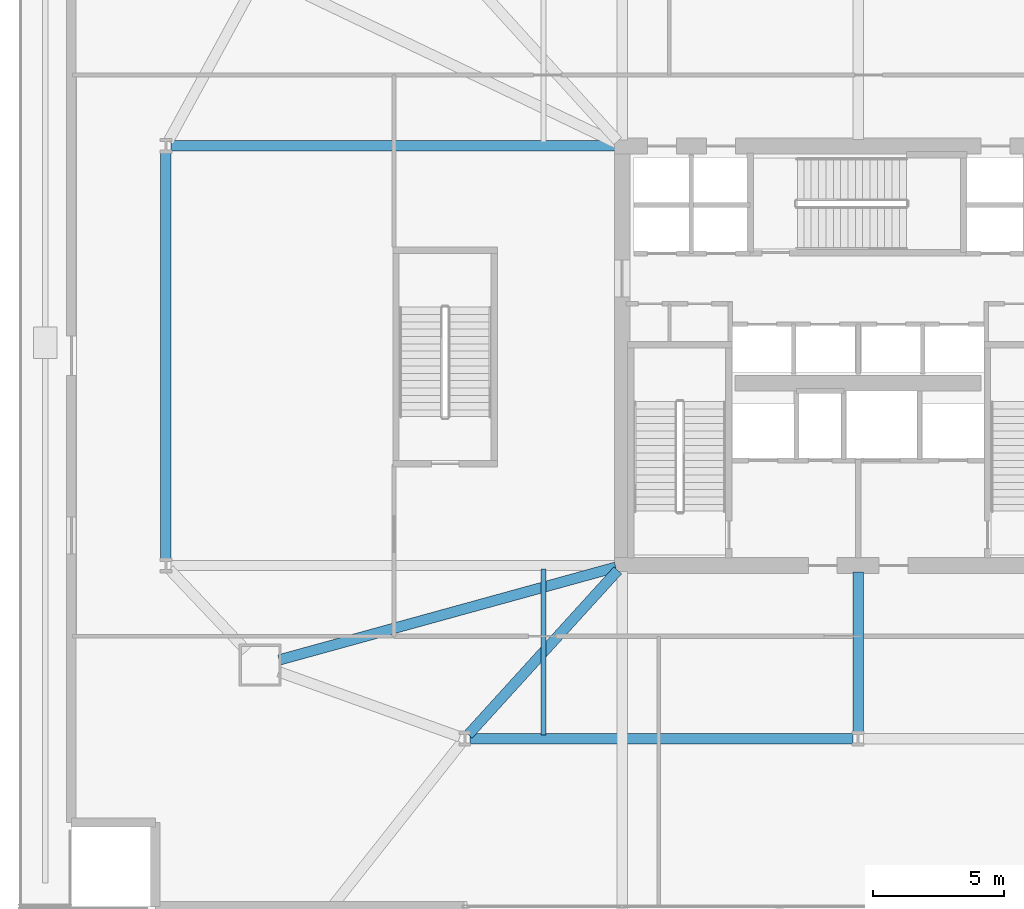
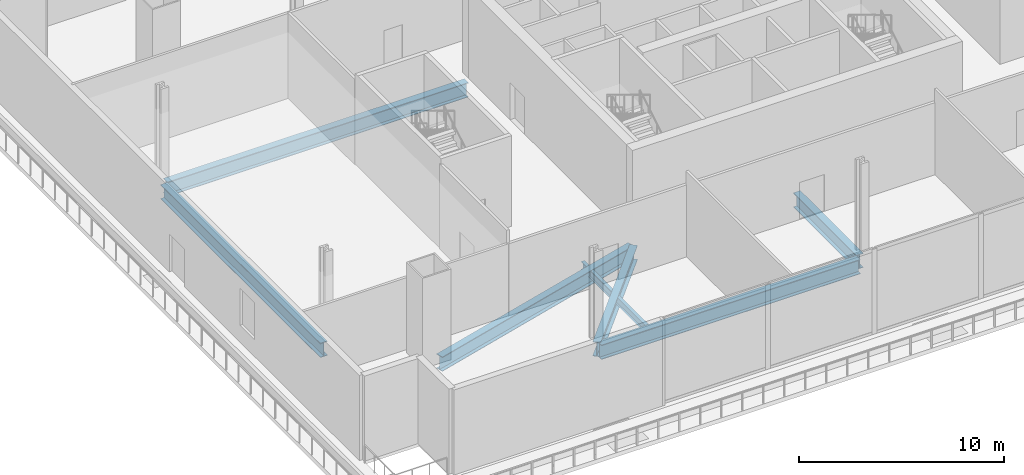
# One storey, part 3 of 20: 7 beams.
"""IFC4 building model written with IfcOpenShell, lengths in metres."""

from ifc_helpers import new_model, si_unit, direction, frame, origin, origin_2d, place, context, subcontext, project, spatial, i_section, extrude, material, material_profile, profile_set, type_object, element, save


model = new_model("IFC4")

# Units and contexts
model_context = context("Model", 3, precision=1e-05, world=origin(), true_north=direction((0.0, 1.0)))
body_context = subcontext(model_context, "Body", "Model", "MODEL_VIEW")
ifc_project = project(units=[si_unit("LENGTHUNIT", "METRE"), si_unit("AREAUNIT", "SQUARE_METRE"), si_unit("VOLUMEUNIT", "CUBIC_METRE"), si_unit("PLANEANGLEUNIT", "RADIAN"), si_unit("MASSUNIT", "GRAM", prefix="KILO")], contexts=[model_context])

# Site, building, storey
site_placement = place(None, origin())
site = spatial("IfcSite", under=ifc_project, at=site_placement, CompositionType="ELEMENT")
building_placement = place(site_placement, origin())
building = spatial("IfcBuilding", under=site, at=building_placement, Name="Haldenkirk Collegiate Tower", CompositionType="ELEMENT")
storey_placement = place(building_placement, frame((0.0, 0.0, 6.0)))
storey = spatial("IfcBuildingStorey", under=building, at=storey_placement, Name="L01", CompositionType="ELEMENT", Elevation=6.0)

# Beams
ifc_material = material(Name="Steel ASTM A992 Grade 50", Category="steel")
ifc_material_profile_1 = material_profile(ifc_material, i_section(OverallWidth=0.39990234375, OverallDepth=0.862060546875, WebThickness=0.019775390625, FlangeThickness=0.032470703125, at=origin_2d()), Name="W33X221")
ifc_profile_set_1 = profile_set([ifc_material_profile_1], Name="Steel ASTM A992 Grade 50")
beam_type_1 = type_object("IfcBeamType", Name="BM-GIRDER-W33X221", PredefinedType="BEAM", material=ifc_profile_set_1)
beam_1_placement = place(storey_placement, frame((21.199951171875, 11.39990234375, -0.760986328125), z_axis=(1.0, 0.0, 0.0), x_axis=(0.0, 1.0, 0.0)))
element("IfcBeam", 1, at=beam_1_placement, inside=storey, type_object=beam_type_1, Name="L01 podium ring girder 02", PredefinedType="BEAM", context=body_context, shape_type="SweptSolid", body=[
    extrude(i_section(OverallWidth=0.39990234375, OverallDepth=0.862060546875, WebThickness=0.019775390625, FlangeThickness=0.032470703125, at=origin_2d()), origin(), (0.0, 0.0, 1.0), 14.60009765625),
])
beam_2_placement = place(storey_placement, frame((9.60009765625, 33.800048828125, -0.760986328125), z_axis=(0.0, -1.0, 0.0), x_axis=(1.0, 0.0, 0.0)))
element("IfcBeam", 2, at=beam_2_placement, inside=storey, type_object=beam_type_1, Name="L01 podium ring girder 13", PredefinedType="BEAM", context=body_context, shape_type="SweptSolid", body=[
    extrude(i_section(OverallWidth=0.39990234375, OverallDepth=0.862060546875, WebThickness=0.019775390625, FlangeThickness=0.032470703125, at=origin_2d()), origin(), (0.0, 0.0, 1.0), 15.60009765625),
])
beam_3_placement = place(storey_placement, frame((9.800048828125, 34.0, -0.760986328125), z_axis=(1.0, 0.0, 0.0), x_axis=(0.0, 1.0, 0.0)))
element("IfcBeam", 3, at=beam_3_placement, inside=storey, type_object=beam_type_1, Name="L01 podium radial girder 02", PredefinedType="BEAM", context=body_context, shape_type="SweptSolid", body=[
    extrude(i_section(OverallWidth=0.39990234375, OverallDepth=0.862060546875, WebThickness=0.019775390625, FlangeThickness=0.032470703125, at=origin_2d()), origin(), (0.0, 0.0, 1.0), 16.949951171875),
])
beam_4_placement = place(storey_placement, frame((36.0, 11.60009765625, -0.760986328125), z_axis=(0.0, 1.0, 0.0), x_axis=(-1.0, 0.0, 0.0)))
element("IfcBeam", 4, at=beam_4_placement, inside=storey, type_object=beam_type_1, Name="L01 podium radial girder 05", PredefinedType="BEAM", context=body_context, shape_type="SweptSolid", body=[
    extrude(i_section(OverallWidth=0.39990234375, OverallDepth=0.862060546875, WebThickness=0.019775390625, FlangeThickness=0.032470703125, at=origin_2d()), origin(), (0.0, 0.0, 1.0), 6.14990234375),
])
beam_5_placement = place(storey_placement, frame((21.134521484375, 11.548095703125, -0.760986328125), z_axis=(0.672681402593, 0.739932247307, 0.0), x_axis=(-0.739932247307, 0.672681402593, 0.0)))
element("IfcBeam", 5, at=beam_5_placement, inside=storey, type_object=beam_type_1, Name="L01 podium radial girder 07", PredefinedType="BEAM", context=body_context, shape_type="SweptSolid", body=[
    extrude(i_section(OverallWidth=0.39990234375, OverallDepth=0.862060546875, WebThickness=0.019775390625, FlangeThickness=0.032470703125, at=origin_2d()), origin(), (0.0, 0.0, 1.0), 8.469482421875),
])
beam_6_placement = place(storey_placement, frame((13.923095703125, 14.399169921875, -0.760986328125), z_axis=(0.964118138457, 0.265473567606, 0.0), x_axis=(-0.265473567606, 0.964118138457, 0.0)))
element("IfcBeam", 6, at=beam_6_placement, inside=storey, type_object=beam_type_1, Name="L01 podium radial girder 11", PredefinedType="BEAM", context=body_context, shape_type="SweptSolid", body=[
    extrude(i_section(OverallWidth=0.39990234375, OverallDepth=0.862060546875, WebThickness=0.019775390625, FlangeThickness=0.032470703125, at=origin_2d()), origin(), (0.0, 0.0, 1.0), 13.313720703125),
])
ifc_material_profile_2 = material_profile(ifc_material, i_section(OverallWidth=0.19189453125, OverallDepth=0.462890625, WebThickness=0.010498046875, FlangeThickness=0.017578125, at=origin_2d()), Name="W18X60")
ifc_profile_set_2 = profile_set([ifc_material_profile_2], Name="Steel ASTM A992 Grade 50")
beam_type_2 = type_object("IfcBeamType", Name="BM-JOIST-W18X60", PredefinedType="JOIST", material=ifc_profile_set_2)
beam_7_placement = place(storey_placement, frame((24.0, 11.5400390625, -0.5615234375), z_axis=(0.0, 1.0, 0.0), x_axis=(-1.0, 0.0, 0.0)))
element("IfcBeam", 7, at=beam_7_placement, inside=storey, type_object=beam_type_2, Name="L01 south bay floor joist 1", PredefinedType="JOIST", context=body_context, shape_type="SweptSolid", body=[
    extrude(i_section(OverallWidth=0.19189453125, OverallDepth=0.462890625, WebThickness=0.010498046875, FlangeThickness=0.017578125, at=origin_2d()), origin(), (0.0, 0.0, 1.0), 6.320068359375),
])

save(model, "model.ifc")
